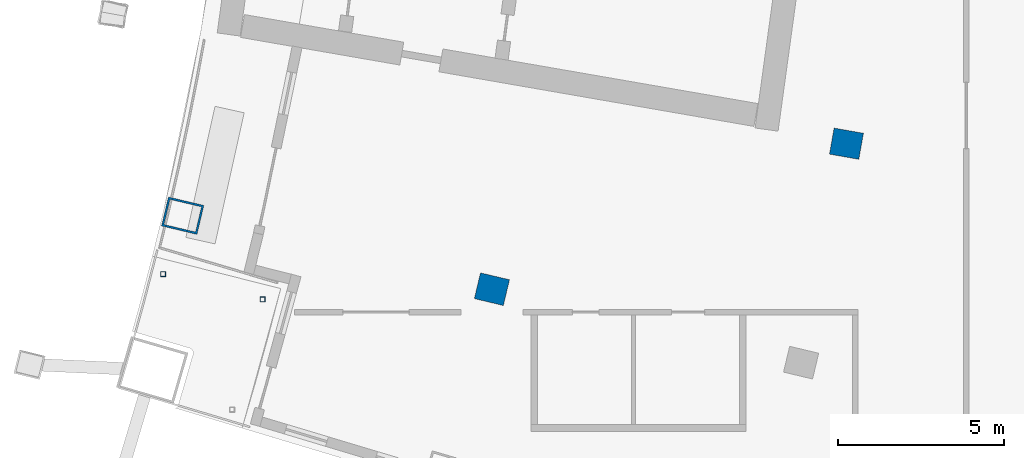
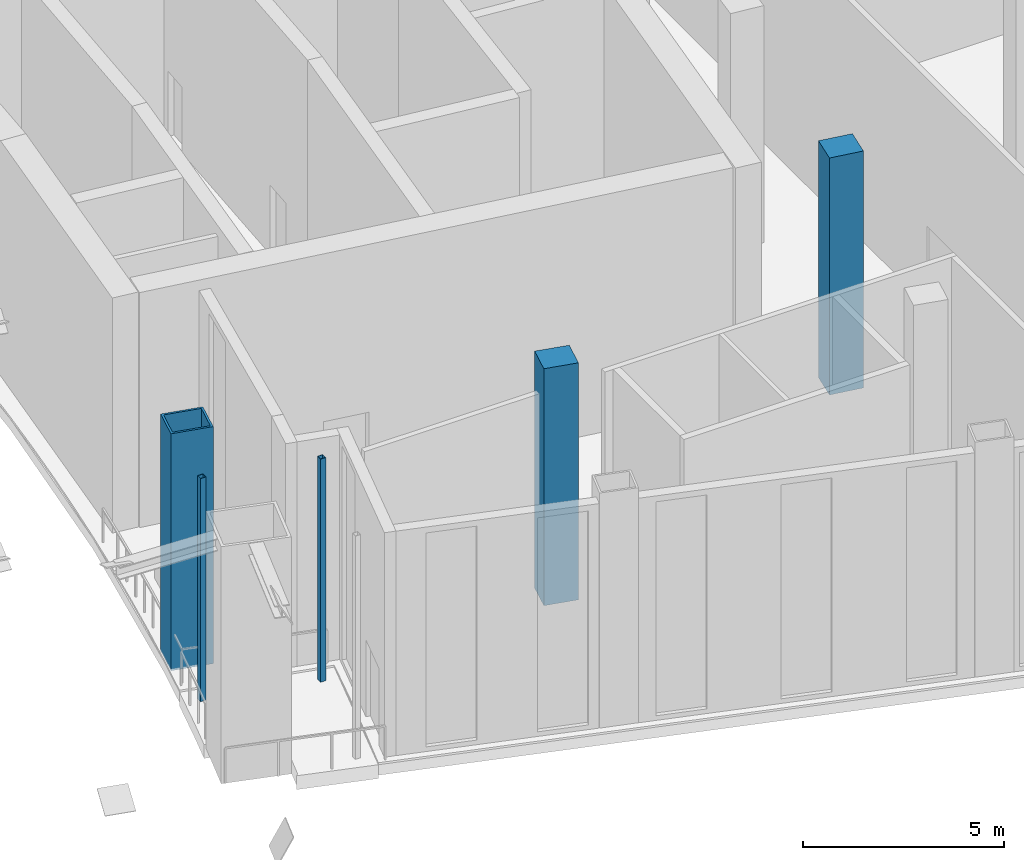
# One storey, part 3 of 26: 5 columns.
"""IFC4 building model written with IfcOpenShell, lengths in metres."""

from ifc_helpers import new_model, si_unit, direction, frame, origin, origin_2d, place, context, subcontext, project, spatial, rectangle, hollow_rectangle, extrude, material, material_profile, profile_set, type_object, element, save


model = new_model("IFC4")

# Units and contexts
model_context = context("Model", 3, precision=1e-05, world=origin(), true_north=direction((0.0, 1.0)))
body_context = subcontext(model_context, "Body", "Model", "MODEL_VIEW")
ifc_project = project(units=[si_unit("LENGTHUNIT", "METRE"), si_unit("AREAUNIT", "SQUARE_METRE"), si_unit("VOLUMEUNIT", "CUBIC_METRE"), si_unit("PLANEANGLEUNIT", "RADIAN"), si_unit("MASSUNIT", "GRAM", prefix="KILO")], contexts=[model_context])

# Site, building, storey
site_placement = place(None, origin())
site = spatial("IfcSite", under=ifc_project, at=site_placement, CompositionType="ELEMENT")
building_placement = place(site_placement, origin())
building = spatial("IfcBuilding", under=site, at=building_placement, Name="Alderwake Tower", CompositionType="ELEMENT")
storey_placement = place(building_placement, frame((0.0, 0.0, 182.0)))
storey = spatial("IfcBuildingStorey", under=building, at=storey_placement, Name="L45", CompositionType="ELEMENT", Elevation=182.0)

# Columns
ifc_material_1 = material(Name="Concrete C70/85", Category="concrete")
ifc_material_profile_1 = material_profile(ifc_material_1, rectangle(XDim=0.800048828125, YDim=0.89990234375, at=origin_2d()), Name="RC 900X800")
ifc_profile_set_1 = profile_set([ifc_material_profile_1], Name="Concrete C70/85")
column_type_1 = type_object("IfcColumnType", Name="Interior column Z3", PredefinedType="COLUMN", material=ifc_profile_set_1)
for number, where, z_axis, x_axis, name in (
    (1, (23.322021484375, 36.444091796875, 0.0), (0.0, 0.0, 1.0), (0.231221547198, 0.972901123502, 0.0), "Column R03-C1"),
    (2, (34.03125, 40.83837890625, 0.0), (0.0, 0.0, 1.0), (0.174108800747, 0.984726421654, 0.0), "Column R04-C2"),
):
    element("IfcColumn", number, at=place(storey_placement, frame(where, z_axis=z_axis, x_axis=x_axis)), inside=storey, type_object=column_type_1, Name=name, PredefinedType="COLUMN", context=body_context, shape_type="SweptSolid", body=[
        extrude(rectangle(XDim=0.800048828125, YDim=0.89990234375, at=origin_2d()), origin(), (0.0, 0.0, 1.0), 7.199951171875),
    ])
ifc_material_2 = material(Name="Steel ASTM A500 Grade C", Category="steel")
ifc_material_profile_2 = material_profile(ifc_material_2, hollow_rectangle(XDim=0.15234375, YDim=0.15234375, WallThickness=0.0087890625, at=origin_2d()), Name="HSS6X6X3/8")
ifc_profile_set_2 = profile_set([ifc_material_profile_2], Name="Steel ASTM A500 Grade C")
column_type_2 = type_object("IfcColumnType", Name="Light post HSS6X6X3/8", PredefinedType="COLUMN", material=ifc_profile_set_2)
for number, where, z_axis, x_axis, name in (
    (3, (13.3896484375, 36.896484375, 0.0), (0.0, 0.0, 1.0), (1.0, 0.0, 0.0), "Terrace post RS1"),
    (4, (16.39501953125, 36.135986328125, 0.0), (0.0, 0.0, 1.0), (1.0, 0.0, 0.0), "Terrace post RS3"),
):
    element("IfcColumn", number, at=place(storey_placement, frame(where, z_axis=z_axis, x_axis=x_axis)), inside=storey, type_object=column_type_2, Name=name, PredefinedType="COLUMN", context=body_context, shape_type="SweptSolid", body=[
        extrude(hollow_rectangle(XDim=0.15234375, YDim=0.15234375, WallThickness=0.0087890625, at=origin_2d()), origin(), (0.0, 0.0, 1.0), 6.780029296875),
    ])
ifc_material_3 = material(Name="Steel ASTM A572 Grade 50 concrete filled C70/85", Category="concrete")
ifc_material_profile_3 = material_profile(ifc_material_3, hollow_rectangle(XDim=0.89990234375, YDim=1.10009765625, WallThickness=0.06005859375, at=origin_2d()), Name="BOX 1100X900X60")
ifc_profile_set_3 = profile_set([ifc_material_profile_3], Name="Steel ASTM A572 Grade 50 concrete filled C70/85")
column_type_3 = type_object("IfcColumnType", Name="Perimeter column Z3", PredefinedType="COLUMN", material=ifc_profile_set_3)
column_placement = place(storey_placement, frame((13.982177734375, 38.6640625, 0.0), z_axis=(0.0, 0.0, 1.0), x_axis=(0.231221547198, 0.972901123502, 0.0)))
element("IfcColumn", 5, at=column_placement, inside=storey, type_object=column_type_3, Name="Column R03-C0", PredefinedType="COLUMN", context=body_context, shape_type="SweptSolid", body=[
    extrude(hollow_rectangle(XDim=0.89990234375, YDim=1.10009765625, WallThickness=0.06005859375, at=origin_2d()), origin(), (0.0, 0.0, 1.0), 7.199951171875),
])

save(model, "model.ifc")
